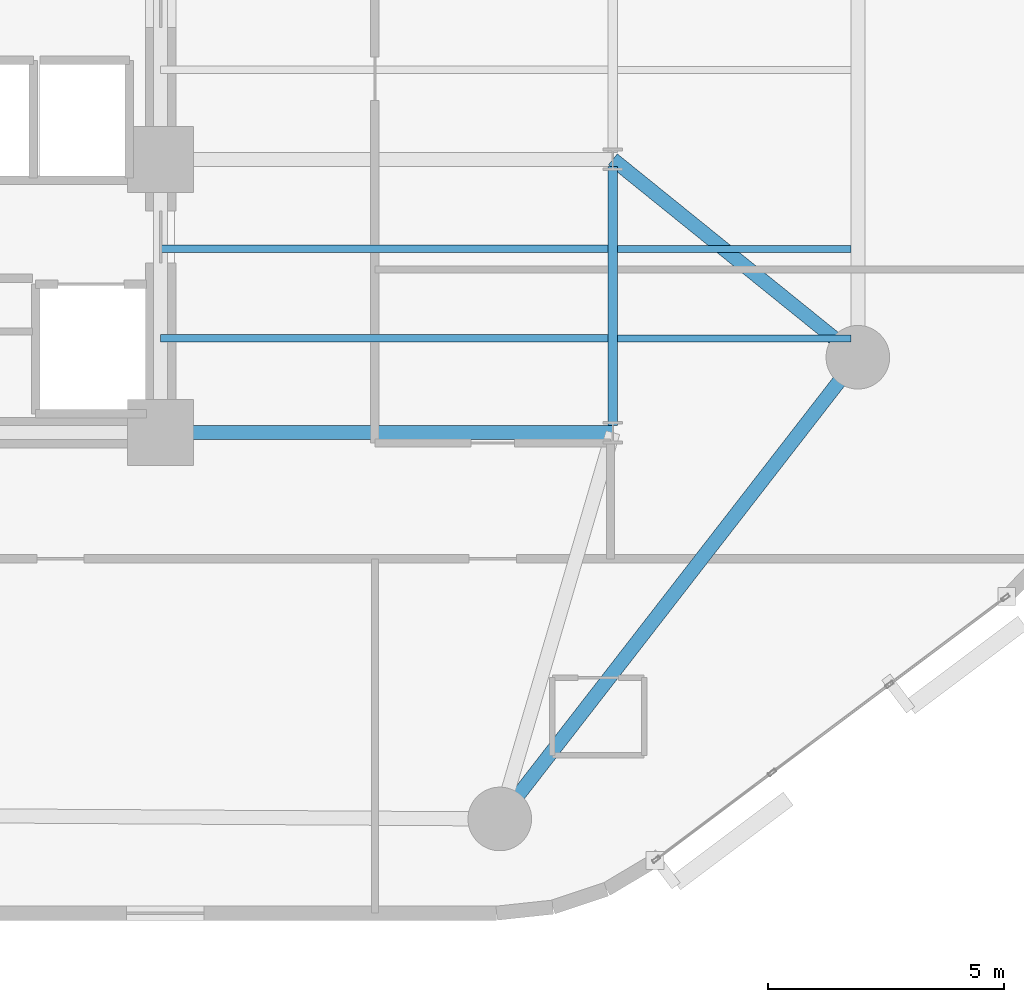
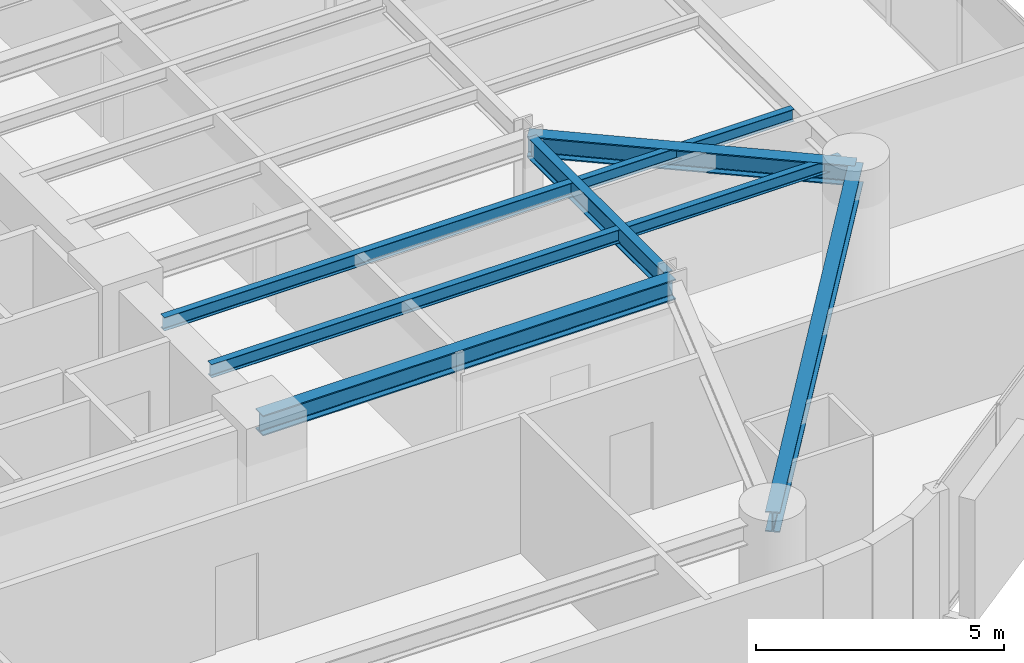
# One storey, part 3 of 15: 8 beams.
"""IFC4 building model written with IfcOpenShell, lengths in metres."""

import ifcopenshell
import ifcopenshell.guid

model = None  # the IFC model being written
_history = None  # IfcOwnerHistory: only IFC2X3 demands one
_inside = {}  # id of a spatial element -> (the spatial element, [elements in it])
_under = {}  # id of a project, library or spatial element -> (it, [spatial elements below it])
_declared = {}  # id of a project -> (the project, [libraries it declares])
_typed = {}  # id of a type object -> (the type object, [elements of that type])
_made_of = {}  # id of a material, layer set ... -> (it, [elements and type objects made of it])


def new_model(schema):
    """Start an empty IFC model of exactly this schema.

    Asked for "IFC4X3", IfcOpenShell would pick the latest addendum, in which some entities
    have other attributes; the version numbers below select the first issue.
    IFC2X3 requires an IfcOwnerHistory on every rooted entity: one is made here for all.
    """
    global model, _history
    if schema == "IFC4X3":
        model = ifcopenshell.file(schema_version=(4, 3, 0, 0))
    else:
        model = ifcopenshell.file(schema=schema)
    _inside.clear()
    _under.clear()
    _declared.clear()
    _typed.clear()
    _made_of.clear()
    _history = None
    if model.schema == "IFC2X3":
        org = make("IfcOrganization", Name="unknown")
        user = make(
            "IfcPersonAndOrganization",
            ThePerson=make("IfcPerson", FamilyName="unknown"),
            TheOrganization=org,
        )
        app = make(
            "IfcApplication",
            ApplicationDeveloper=org,
            Version="unknown",
            ApplicationFullName="unknown",
            ApplicationIdentifier="unknown",
        )
        _history = make(
            "IfcOwnerHistory",
            OwningUser=user,
            OwningApplication=app,
            ChangeAction="ADDED",
            CreationDate=0,
        )
    return model


def make(cls, **values):
    """One entity of the class cls with the attributes given. An attribute that is None is left unset."""
    return model.create_entity(
        cls, **{name: value for name, value in values.items() if value is not None}
    )


def rooted(cls, **values):
    """An entity with a GlobalId (a new one), such as an element, a storey or a relation."""
    return make(cls, GlobalId=ifcopenshell.guid.new(), OwnerHistory=_history, **values)


def si_unit(unit_type, name, prefix=None):
    """IfcSIUnit, for example si_unit("LENGTHUNIT", "METRE", prefix="MILLI")."""
    return make("IfcSIUnit", UnitType=unit_type, Prefix=prefix, Name=name)


def assignment(units):
    """IfcUnitAssignment: the units of a project."""
    return None if units is None else make("IfcUnitAssignment", Units=units)


def point(xyz):
    """IfcCartesianPoint."""
    return None if xyz is None else make("IfcCartesianPoint", Coordinates=xyz)


def direction(xyz):
    """IfcDirection."""
    return None if xyz is None else make("IfcDirection", DirectionRatios=xyz)


def frame(location, z_axis=None, x_axis=None):
    """IfcAxis2Placement3D, a coordinate frame: its origin and axes. An axis left out is left unset."""
    return make(
        "IfcAxis2Placement3D",
        Location=point(location),
        Axis=direction(z_axis),
        RefDirection=direction(x_axis),
    )


def frame_2d(location, x_axis=None):
    """IfcAxis2Placement2D, a coordinate frame in the plane: its origin and x axis."""
    return make(
        "IfcAxis2Placement2D", Location=point(location), RefDirection=direction(x_axis)
    )


def origin():
    """The frame at (0, 0, 0) with its axes left unset."""
    return frame((0.0, 0.0, 0.0))


def origin_2d():
    """The frame at (0, 0) in the plane with its x axis left unset."""
    return frame_2d((0.0, 0.0))


def place(relative_to, where):
    """IfcLocalPlacement: puts the frame where relative to a parent placement (None: the world)."""
    return make(
        "IfcLocalPlacement", PlacementRelTo=relative_to, RelativePlacement=where
    )


def context(
    kind, dimensions, precision=None, world=None, true_north=None, identifier=None
):
    """IfcGeometricRepresentationContext, for example the 3D "Model" context."""
    return make(
        "IfcGeometricRepresentationContext",
        ContextIdentifier=identifier,
        ContextType=kind,
        CoordinateSpaceDimension=dimensions,
        Precision=precision,
        WorldCoordinateSystem=world,
        TrueNorth=true_north,
    )


def subcontext(parent, identifier, kind, view, scale=None):
    """IfcGeometricRepresentationSubContext, for example "Body" below "Model"."""
    return make(
        "IfcGeometricRepresentationSubContext",
        ContextIdentifier=identifier,
        ContextType=kind,
        ParentContext=parent,
        TargetScale=scale,
        TargetView=view,
    )


def project(units=None, contexts=None):
    """IfcProject with its units and contexts."""
    return rooted(
        "IfcProject",
        Name="project",
        RepresentationContexts=contexts,
        UnitsInContext=assignment(units),
    )


def spatial(cls, under=None, at=None, **own):
    """A site, building, storey or space (cls), placed at a placement, below another one or the project."""
    s = rooted(cls, ObjectPlacement=at, **own)
    if under is not None:
        _under.setdefault(under.id(), (under, []))[1].append(s)
    return s


def profile(cls, at=None, kind="AREA", **sizes):
    """A parametric profile (cls). Its sizes go by their IFC names, for example OverallWidth=200.0."""
    return make(cls, ProfileType=kind, Position=at, **sizes)


def i_section(**sizes):
    """IfcIShapeProfileDef."""
    return profile("IfcIShapeProfileDef", **sizes)


def extrude(swept, where, along, depth):
    """IfcExtrudedAreaSolid: the profile swept, set in the frame where, extruded along a direction by depth."""
    return make(
        "IfcExtrudedAreaSolid",
        SweptArea=swept,
        Position=where,
        ExtrudedDirection=direction(along),
        Depth=depth,
    )


def shape(context_of_items, identifier, shape_type, items):
    """IfcShapeRepresentation: the items that make up one representation, for example the "Body"."""
    return make(
        "IfcShapeRepresentation",
        ContextOfItems=context_of_items,
        RepresentationIdentifier=identifier,
        RepresentationType=shape_type,
        Items=items,
    )


def material(Name=None, Category=None):
    """IfcMaterial."""
    return make("IfcMaterial", Name=Name, Category=Category)


def material_profile(
    of_material, cross_section, Name=None, Category=None, Priority=None
):
    """IfcMaterialProfile: a cross section and its material."""
    return make(
        "IfcMaterialProfile",
        Name=Name,
        Material=of_material,
        Profile=cross_section,
        Priority=Priority,
        Category=Category,
    )


def profile_set(profiles, Name=None, composite=None):
    """IfcMaterialProfileSet."""
    return make(
        "IfcMaterialProfileSet",
        Name=Name,
        MaterialProfiles=profiles,
        CompositeProfile=composite,
    )


def made_of(thing, what):
    """Note that an element or type object is made of a material, layer set ...; save() writes the relation."""
    if what is not None:
        _made_of.setdefault(what.id(), (what, []))[1].append(thing)
    return thing


def type_object(cls, material=None, **own):
    """A type object (cls), such as IfcWallType, which elements share."""
    return made_of(rooted(cls, **own), material)


def element(
    cls,
    number,
    at=None,
    inside=None,
    cuts=None,
    type_object=None,
    material=None,
    context=None,
    identifier="Body",
    shape_type=None,
    held_by="IfcProductDefinitionShape",
    body=None,
    shapes=None,
    **own,
):
    """One element of the class cls, such as IfcWall. Its Tag is "e" and its number.

    at: its placement. inside: the storey or other place that contains it. cuts: it is an
    opening in that element (IfcRelVoidsElement). A single representation is given by context,
    identifier, shape_type and body (its items); several are given by shapes. held_by: the class
    of the entity that holds the representations. save() writes the other relations.
    """
    e = rooted(cls, Tag="e%d" % number, ObjectPlacement=at, **own)
    if body is not None:
        shapes = [shape(context, identifier, shape_type, body)]
    if shapes is not None:
        e.Representation = make(held_by, Representations=shapes)
    if inside is not None:
        _inside.setdefault(inside.id(), (inside, []))[1].append(e)
    if cuts is not None:
        rooted(
            "IfcRelVoidsElement", RelatingBuildingElement=cuts, RelatedOpeningElement=e
        )
    if type_object is not None:
        _typed.setdefault(type_object.id(), (type_object, []))[1].append(e)
    return made_of(e, material)


def aggregate(whole, parts):
    """IfcRelAggregates: a whole, such as a stair, and the parts it consists of."""
    return rooted("IfcRelAggregates", RelatingObject=whole, RelatedObjects=parts)


def save(model, path):
    """Write the relations noted so far, then the file.

    IfcRelAggregates (storeys below a building ...), IfcRelContainedInSpatialStructure (elements
    in a storey), IfcRelDefinesByType, IfcRelAssociatesMaterial and IfcRelDeclares: one each for
    every whole, place, type object, material and project.
    """
    for whole, parts in _under.values():
        aggregate(whole, parts)
    for where, things in _inside.values():
        rooted(
            "IfcRelContainedInSpatialStructure",
            RelatedElements=things,
            RelatingStructure=where,
        )
    for kind, things in _typed.values():
        rooted("IfcRelDefinesByType", RelatedObjects=things, RelatingType=kind)
    for what, things in _made_of.values():
        rooted("IfcRelAssociatesMaterial", RelatedObjects=things, RelatingMaterial=what)
    for by, libraries in _declared.values():
        rooted("IfcRelDeclares", RelatingContext=by, RelatedDefinitions=libraries)
    model.write(path)


model = new_model("IFC4")

# Units and contexts
model_context = context("Model", 3, precision=1e-05, world=origin(), true_north=direction((0.0, 1.0)))
body_context = subcontext(model_context, "Body", "Model", "MODEL_VIEW")
ifc_project = project(units=[si_unit("LENGTHUNIT", "METRE"), si_unit("AREAUNIT", "SQUARE_METRE"), si_unit("VOLUMEUNIT", "CUBIC_METRE"), si_unit("PLANEANGLEUNIT", "RADIAN"), si_unit("MASSUNIT", "GRAM", prefix="KILO")], contexts=[model_context])

# Site, building, storey
site_placement = place(None, origin())
site = spatial("IfcSite", under=ifc_project, at=site_placement, CompositionType="ELEMENT")
building_placement = place(site_placement, origin())
building = spatial("IfcBuilding", under=site, at=building_placement, Name="An Khanh Terracotta Commons", CompositionType="ELEMENT")
storey_placement = place(building_placement, frame((0.0, 0.0, 129.5)))
storey = spatial("IfcBuildingStorey", under=building, at=storey_placement, Name="L34", CompositionType="ELEMENT", Elevation=129.5)

# Beams
ifc_material = material(Name="Steel S355J2", Category="steel")
ifc_material_profile_1 = material_profile(ifc_material, i_section(OverallWidth=0.300048828125, OverallDepth=0.5, WebThickness=0.014404296875, FlangeThickness=0.028076171875, FilletRadius=0.027099609375, at=origin_2d()), Name="HEB500")
ifc_profile_set_1 = profile_set([ifc_material_profile_1], Name="Steel S355J2")
beam_type_1 = type_object("IfcBeamType", Name="BM-HEB500", PredefinedType="BEAM", material=ifc_profile_set_1)
beam_1_placement = place(storey_placement, frame((44.39990234375, 6.199951171875, 3.110107421875), z_axis=(0.612826529795, 0.790217466511, 0.0), x_axis=(-0.790217466511, 0.612826529795, 0.0)))
element("IfcBeam", 1, at=beam_1_placement, inside=storey, type_object=beam_type_1, Name="L34 Perimeter Ring Spandrel 2", PredefinedType="BEAM", context=body_context, shape_type="SweptSolid", body=[
    extrude(i_section(OverallWidth=0.300048828125, OverallDepth=0.5, WebThickness=0.014404296875, FlangeThickness=0.028076171875, FilletRadius=0.027099609375, at=origin_2d()), origin(), (0.0, 0.0, 1.0), 12.401611328125),
])
beam_2_placement = place(storey_placement, frame((37.199951171875, 14.39990234375, 3.110107421875), z_axis=(1.0, 0.0, 0.0), x_axis=(0.0, 1.0, 0.0)))
element("IfcBeam", 2, at=beam_2_placement, inside=storey, type_object=beam_type_1, Name="L34 East Primary Floor Girder 1", PredefinedType="BEAM", context=body_context, shape_type="SweptSolid", body=[
    extrude(i_section(OverallWidth=0.300048828125, OverallDepth=0.5, WebThickness=0.014404296875, FlangeThickness=0.028076171875, FilletRadius=0.027099609375, at=origin_2d()), origin(), (0.0, 0.0, 1.0), 9.60009765625),
])
beam_3_placement = place(storey_placement, frame((52.0, 16.0, 3.110107421875), z_axis=(-0.777941866883, 0.628336256913, 0.0), x_axis=(-0.628336256913, -0.777941866883, 0.0)))
element("IfcBeam", 3, at=beam_3_placement, inside=storey, type_object=beam_type_1, Name="L34 Mega-Column Tie Girder 3", PredefinedType="BEAM", context=body_context, shape_type="SweptSolid", body=[
    extrude(i_section(OverallWidth=0.300048828125, OverallDepth=0.5, WebThickness=0.014404296875, FlangeThickness=0.028076171875, FilletRadius=0.027099609375, at=origin_2d()), origin(), (0.0, 0.0, 1.0), 6.684326171875),
])
ifc_material_profile_2 = material_profile(ifc_material, i_section(OverallWidth=0.14990234375, OverallDepth=0.300048828125, WebThickness=0.007080078125, FlangeThickness=0.0107421875, FilletRadius=0.014892578125, at=origin_2d()), Name="IPE300")
ifc_profile_set_2 = profile_set([ifc_material_profile_2], Name="Steel S355J2")
beam_type_2 = type_object("IfcBeamType", Name="BM-IPE300", PredefinedType="JOIST", material=ifc_profile_set_2)
for number, where, z_axis, x_axis, name in (
    (4, (46.89990234375, 16.39990234375, 3.2099609375), (1.0, 0.0, 0.0), (0.0, 1.0, 0.0), "L34 Riverfront Composite Joist 1"),
    (5, (46.89990234375, 18.300048828125, 3.2099609375), (1.0, 0.0, 0.0), (0.0, 1.0, 0.0), "L34 Riverfront Composite Joist 2"),
):
    element("IfcBeam", number, at=place(storey_placement, frame(where, z_axis=z_axis, x_axis=x_axis)), inside=storey, type_object=beam_type_2, Name=name, PredefinedType="JOIST", context=body_context, shape_type="SweptSolid", body=[
        extrude(i_section(OverallWidth=0.14990234375, OverallDepth=0.300048828125, WebThickness=0.007080078125, FlangeThickness=0.0107421875, FilletRadius=0.014892578125, at=origin_2d()), origin(), (0.0, 0.0, 1.0), 4.9501953125),
    ])
ifc_material_profile_3 = material_profile(ifc_material, i_section(OverallWidth=0.159912109375, OverallDepth=0.330078125, WebThickness=0.007568359375, FlangeThickness=0.011474609375, FilletRadius=0.01806640625, at=origin_2d()), Name="IPE330")
ifc_profile_set_3 = profile_set([ifc_material_profile_3], Name="Steel S355J2")
beam_type_3 = type_object("IfcBeamType", Name="BM-IPE330", PredefinedType="JOIST", material=ifc_profile_set_3)
for number, where, z_axis, x_axis, name in (
    (6, (37.199951171875, 16.39990234375, 3.195068359375), (1.0, 0.0, 0.0), (0.0, 1.0, 0.0), "L34 Inboard Composite Joist 1"),
    (7, (37.199951171875, 18.300048828125, 3.195068359375), (1.0, 0.0, 0.0), (0.0, 1.0, 0.0), "L34 Inboard Composite Joist 2"),
):
    element("IfcBeam", number, at=place(storey_placement, frame(where, z_axis=z_axis, x_axis=x_axis)), inside=storey, type_object=beam_type_3, Name=name, PredefinedType="JOIST", context=body_context, shape_type="SweptSolid", body=[
        extrude(i_section(OverallWidth=0.159912109375, OverallDepth=0.330078125, WebThickness=0.007568359375, FlangeThickness=0.011474609375, FilletRadius=0.01806640625, at=origin_2d()), origin(), (0.0, 0.0, 1.0), 9.5),
    ])
ifc_material_profile_4 = material_profile(ifc_material, i_section(OverallWidth=0.199951171875, OverallDepth=0.5, WebThickness=0.01025390625, FlangeThickness=0.01611328125, FilletRadius=0.02099609375, at=origin_2d()), Name="IPE500")
ifc_profile_set_4 = profile_set([ifc_material_profile_4], Name="Steel S355J2")
beam_type_4 = type_object("IfcBeamType", Name="BM-IPE500", PredefinedType="BEAM", material=ifc_profile_set_4)
beam_4_placement = place(storey_placement, frame((46.800048828125, 14.550048828125, 3.110107421875), z_axis=(0.0, 1.0, 0.0), x_axis=(-1.0, 0.0, 0.0)))
element("IfcBeam", 8, at=beam_4_placement, inside=storey, type_object=beam_type_4, Name="L34 East Spine Girder 1", PredefinedType="BEAM", context=body_context, shape_type="SweptSolid", body=[
    extrude(i_section(OverallWidth=0.199951171875, OverallDepth=0.5, WebThickness=0.01025390625, FlangeThickness=0.01611328125, FilletRadius=0.02099609375, at=origin_2d()), origin(), (0.0, 0.0, 1.0), 5.5),
])

save(model, "model.ifc")
